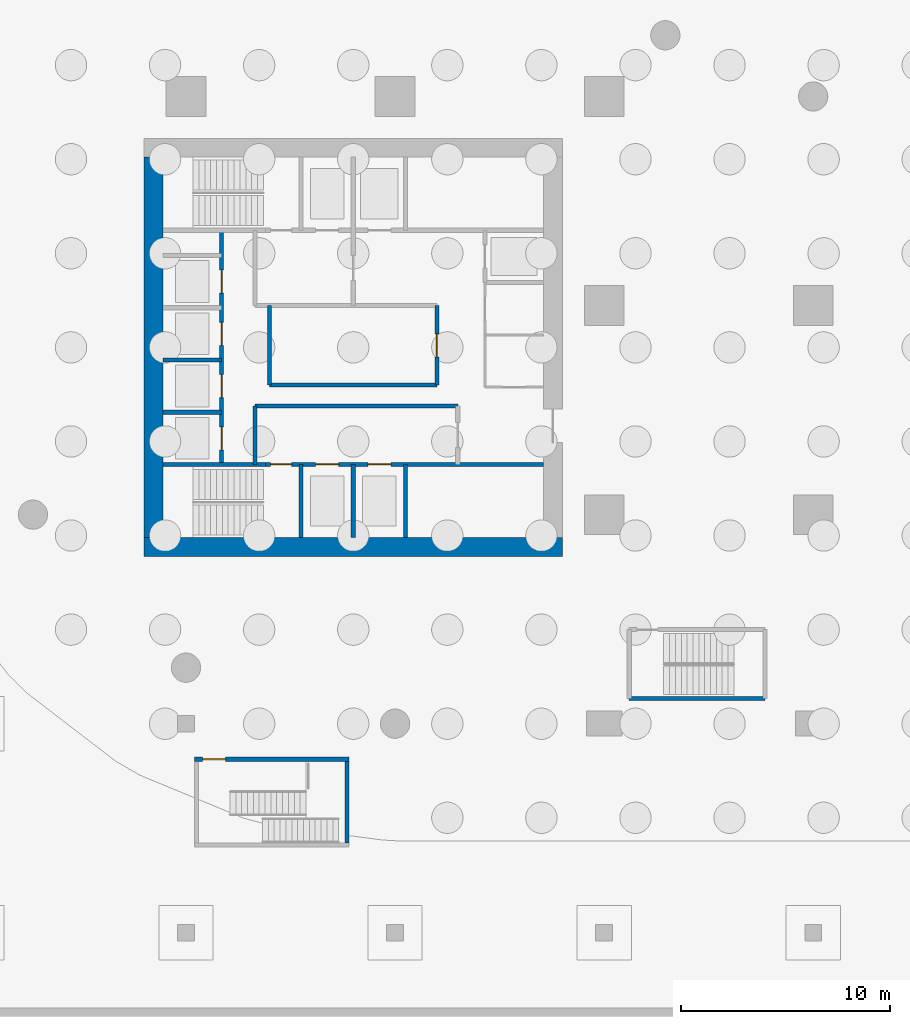
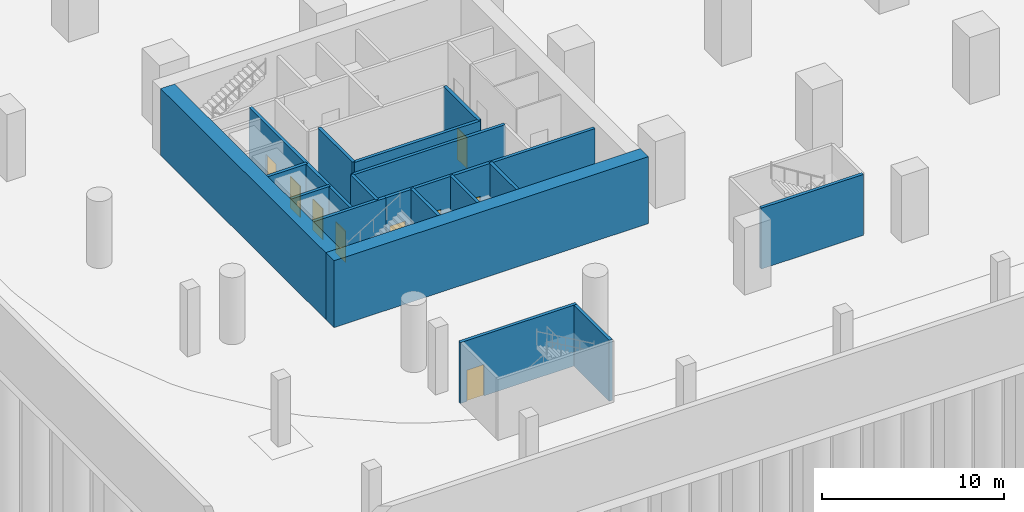
# One storey, part 5 of 19: 18 walls, 9 doors, 9 openings.
"""IFC4 building model written with IfcOpenShell, lengths in metres."""

from ifc_helpers import new_model, si_unit, direction, frame, frame_2d, origin, place, context, subcontext, project, spatial, rectangle, extrude, material, layer, layer_set, type_object, element, fill, save


model = new_model("IFC4")

# Units and contexts
model_context = context("Model", 3, precision=1e-05, world=origin(), true_north=direction((0.0, 1.0)))
body_context = subcontext(model_context, "Body", "Model", "MODEL_VIEW")
ifc_project = project(units=[si_unit("LENGTHUNIT", "METRE"), si_unit("AREAUNIT", "SQUARE_METRE"), si_unit("VOLUMEUNIT", "CUBIC_METRE"), si_unit("PLANEANGLEUNIT", "RADIAN"), si_unit("MASSUNIT", "GRAM", prefix="KILO")], contexts=[model_context])

# Site, building, storey
site_placement = place(None, origin())
site = spatial("IfcSite", under=ifc_project, at=site_placement, CompositionType="ELEMENT")
building_placement = place(site_placement, origin())
building = spatial("IfcBuilding", under=site, at=building_placement, Name="Qaws Garden Tower", CompositionType="ELEMENT")
storey_placement = place(building_placement, frame((0.0, 0.0, -9.0)))
storey = spatial("IfcBuildingStorey", under=building, at=storey_placement, Name="B2", CompositionType="ELEMENT", Elevation=-9.0)

# Walls
ifc_material_1 = material(Name="Concrete C80", Category="concrete")
ifc_layer_1 = layer(ifc_material_1, 0.199951171875)
ifc_layer_set_1 = layer_set([ifc_layer_1], Name="Concrete C80")
wall_type_1 = type_object("IfcWallType", Name="Core shaft wall 200 C80", PredefinedType="SHEAR", material=ifc_layer_set_1)
wall_1_placement = place(storey_placement, frame((31.199951171875, 1.199951171875, 0.0), z_axis=(0.0, 0.0, 1.0), x_axis=(1.0, 0.0, 0.0)))
element("IfcWall", 1, at=wall_1_placement, inside=storey, type_object=wall_type_1, Name="Shaft wall", PredefinedType="SHEAR", context=body_context, shape_type="SweptSolid", body=[
    extrude(rectangle(XDim=6.5, YDim=0.199951171875, at=frame_2d((3.25, 0.0))), origin(), (0.0, 0.0, 1.0), 4.10009765625),
])
wall_2_placement = place(storey_placement, frame((8.89990234375, 12.39990234375, 0.0), z_axis=(0.0, 0.0, 1.0), x_axis=(1.0, 0.0, 0.0)))
element("IfcWall", 2, at=wall_2_placement, inside=storey, type_object=wall_type_1, Name="Shaft wall", PredefinedType="SHEAR", context=body_context, shape_type="SweptSolid", body=[
    extrude(rectangle(XDim=4.900146484375, YDim=0.199951171875, at=frame_2d((2.4501953125, 0.0))), origin(), (0.0, 0.0, 1.0), 4.10009765625),
])

# Wall, openings, doors
wall_3_placement = place(storey_placement, frame((13.800048828125, 12.39990234375, 0.0), z_axis=(0.0, 0.0, 1.0), x_axis=(1.0, 0.0, 0.0)))
wall_3 = element("IfcWall", 3, at=wall_3_placement, inside=storey, type_object=wall_type_1, Name="Shaft wall", PredefinedType="SHEAR", context=body_context, shape_type="SweptSolid", body=[
    extrude(rectangle(XDim=13.300048828125, YDim=0.199951171875, at=frame_2d((6.64990234375, 0.0))), origin(), (0.0, 0.0, 1.0), 4.10009765625),
])
opening_1_placement = place(wall_3_placement, frame((2.39990234375, 0.0, 0.0)))
opening_1 = element("IfcOpeningElement", 4, at=opening_1_placement, cuts=wall_3, Name="Opening LD06", PredefinedType="OPENING", context=body_context, shape_type="SweptSolid", body=[
    extrude(rectangle(XDim=1.10009765625, YDim=2.10009765625, at=frame_2d((0.550048828125, 1.050048828125))), frame((0.0, 0.10986328125, 0.0), z_axis=(0.0, -1.0, 0.0), x_axis=(1.0, 0.0, 0.0)), (0.0, 0.0, 1.0), 0.219970703125),
])
opening_2_placement = place(wall_3_placement, frame((4.89990234375, 0.0, 0.0)))
opening_2 = element("IfcOpeningElement", 5, at=opening_2_placement, cuts=wall_3, Name="Opening LD07", PredefinedType="OPENING", context=body_context, shape_type="SweptSolid", body=[
    extrude(rectangle(XDim=1.10009765625, YDim=2.10009765625, at=frame_2d((0.550048828125, 1.050048828125))), frame((0.0, 0.10986328125, 0.0), z_axis=(0.0, -1.0, 0.0), x_axis=(1.0, 0.0, 0.0)), (0.0, 0.0, 1.0), 0.219970703125),
])
opening_3_placement = place(wall_3_placement, frame((0.25, 0.0, 0.0)))
opening_3 = element("IfcOpeningElement", 6, at=opening_3_placement, cuts=wall_3, Name="Opening SD10", PredefinedType="OPENING", context=body_context, shape_type="SweptSolid", body=[
    extrude(rectangle(XDim=1.0, YDim=2.10009765625, at=frame_2d((0.5, 1.050048828125))), frame((0.0, 0.10986328125, 0.0), z_axis=(0.0, -1.0, 0.0), x_axis=(1.0, 0.0, 0.0)), (0.0, 0.0, 1.0), 0.219970703125),
])
ifc_material_2 = material(Name="Steel S235", Category="steel")
door_type_1 = type_object("IfcDoorType", Name="Landing door 1100x2100", OperationType="DOUBLE_DOOR_SLIDING", PredefinedType="DOOR", material=ifc_material_2)
door_1_placement = place(opening_1_placement, origin())
door_1 = element("IfcDoor", 7, at=door_1_placement, inside=storey, type_object=door_type_1, Name="Lift FF1 landing door", OperationType="DOUBLE_DOOR_SLIDING", OverallHeight=2.10009765625, OverallWidth=1.10009765625, PredefinedType="DOOR", context=body_context, shape_type="SweptSolid", body=[
    extrude(rectangle(XDim=1.10009765625, YDim=2.10009765625, at=frame_2d((0.550048828125, 1.050048828125))), frame((0.0, 0.02490234375, 0.0), z_axis=(0.0, -1.0, 0.0), x_axis=(1.0, 0.0, 0.0)), (0.0, 0.0, 1.0), 0.050048828125),
])
fill(opening_1, door_1)
door_2_placement = place(opening_2_placement, origin())
door_2 = element("IfcDoor", 8, at=door_2_placement, inside=storey, type_object=door_type_1, Name="Lift FF2 landing door", OperationType="DOUBLE_DOOR_SLIDING", OverallHeight=2.10009765625, OverallWidth=1.10009765625, PredefinedType="DOOR", context=body_context, shape_type="SweptSolid", body=[
    extrude(rectangle(XDim=1.10009765625, YDim=2.10009765625, at=frame_2d((0.550048828125, 1.050048828125))), frame((0.0, 0.02490234375, 0.0), z_axis=(0.0, -1.0, 0.0), x_axis=(1.0, 0.0, 0.0)), (0.0, 0.0, 1.0), 0.050048828125),
])
fill(opening_2, door_2)
ifc_material_3 = material(Name="Steel S235", Category="steel")
door_type_2 = type_object("IfcDoorType", Name="Stair door 1000x2100", OperationType="SINGLE_SWING_RIGHT", PredefinedType="DOOR", material=ifc_material_3)
door_3_placement = place(opening_3_placement, frame((1.0, 0.0, 0.0), z_axis=(0.0, 0.0, 1.0), x_axis=(-1.0, 0.0, 0.0)))
door_3 = element("IfcDoor", 9, at=door_3_placement, inside=storey, type_object=door_type_2, Name="Stair 1 door", OperationType="SINGLE_SWING_LEFT", OverallHeight=2.10009765625, OverallWidth=1.0, PredefinedType="DOOR", context=body_context, shape_type="SweptSolid", body=[
    extrude(rectangle(XDim=1.0, YDim=2.10009765625, at=frame_2d((0.5, 1.050048828125))), frame((0.0, 0.02490234375, 0.0), z_axis=(0.0, -1.0, 0.0), x_axis=(1.0, 0.0, 0.0)), (0.0, 0.0, 1.0), 0.050048828125),
])
fill(opening_3, door_3)

# Walls
wall_4_placement = place(storey_placement, frame((8.89990234375, 14.89990234375, 0.0), z_axis=(0.0, 0.0, 1.0), x_axis=(1.0, 0.0, 0.0)))
element("IfcWall", 10, at=wall_4_placement, inside=storey, type_object=wall_type_1, Name="Shaft wall", PredefinedType="SHEAR", context=body_context, shape_type="SweptSolid", body=[
    extrude(rectangle(XDim=2.800048828125, YDim=0.199951171875, at=frame_2d((1.39990234375, 0.0))), origin(), (0.0, 0.0, 1.0), 4.10009765625),
])
wall_5_placement = place(storey_placement, frame((13.300048828125, 15.199951171875, 0.0), z_axis=(0.0, 0.0, 1.0), x_axis=(1.0, 0.0, 0.0)))
element("IfcWall", 11, at=wall_5_placement, inside=storey, type_object=wall_type_1, Name="Shaft wall", PredefinedType="SHEAR", context=body_context, shape_type="SweptSolid", body=[
    extrude(rectangle(XDim=9.699951171875, YDim=0.199951171875, at=frame_2d((4.85009765625, 0.0))), origin(), (0.0, 0.0, 1.0), 4.10009765625),
])
wall_6_placement = place(storey_placement, frame((14.0, 16.199951171875, 0.0), z_axis=(0.0, 0.0, 1.0), x_axis=(1.0, 0.0, 0.0)))
element("IfcWall", 12, at=wall_6_placement, inside=storey, type_object=wall_type_1, Name="Shaft wall", PredefinedType="SHEAR", context=body_context, shape_type="SweptSolid", body=[
    extrude(rectangle(XDim=8.0, YDim=0.199951171875, at=frame_2d((4.0, 0.0))), origin(), (0.0, 0.0, 1.0), 4.10009765625),
])
wall_7_placement = place(storey_placement, frame((8.89990234375, 17.39990234375, 0.0), z_axis=(0.0, 0.0, 1.0), x_axis=(1.0, 0.0, 0.0)))
element("IfcWall", 13, at=wall_7_placement, inside=storey, type_object=wall_type_1, Name="Shaft wall", PredefinedType="SHEAR", context=body_context, shape_type="SweptSolid", body=[
    extrude(rectangle(XDim=2.800048828125, YDim=0.199951171875, at=frame_2d((1.39990234375, 0.0))), origin(), (0.0, 0.0, 1.0), 4.10009765625),
])

# Wall, openings, doors
wall_8_placement = place(storey_placement, frame((11.699951171875, 12.39990234375, 0.0), z_axis=(0.0, 0.0, 1.0), x_axis=(0.0, 1.0, 0.0)))
wall_8 = element("IfcWall", 14, at=wall_8_placement, inside=storey, type_object=wall_type_1, Name="Shaft wall", PredefinedType="SHEAR", context=body_context, shape_type="SweptSolid", body=[
    extrude(rectangle(XDim=11.2001953125, YDim=0.199951171875, at=frame_2d((5.60009765625, 0.0))), origin(), (0.0, 0.0, 1.0), 4.10009765625),
])
opening_4_placement = place(wall_8_placement, frame((0.699951171875, 0.0, 0.0)))
opening_4 = element("IfcOpeningElement", 15, at=opening_4_placement, cuts=wall_8, Name="Opening LD01", PredefinedType="OPENING", context=body_context, shape_type="SweptSolid", body=[
    extrude(rectangle(XDim=1.10009765625, YDim=2.10009765625, at=frame_2d((0.550048828125, 1.050048828125))), frame((0.0, 0.10986328125, 0.0), z_axis=(0.0, -1.0, 0.0), x_axis=(1.0, 0.0, 0.0)), (0.0, 0.0, 1.0), 0.219970703125),
])
opening_5_placement = place(wall_8_placement, frame((3.199951171875, 0.0, 0.0)))
opening_5 = element("IfcOpeningElement", 16, at=opening_5_placement, cuts=wall_8, Name="Opening LD02", PredefinedType="OPENING", context=body_context, shape_type="SweptSolid", body=[
    extrude(rectangle(XDim=1.10009765625, YDim=2.10009765625, at=frame_2d((0.550048828125, 1.050048828125))), frame((0.0, 0.10986328125, 0.0), z_axis=(0.0, -1.0, 0.0), x_axis=(1.0, 0.0, 0.0)), (0.0, 0.0, 1.0), 0.219970703125),
])
opening_6_placement = place(wall_8_placement, frame((5.699951171875, 0.0, 0.0)))
opening_6 = element("IfcOpeningElement", 17, at=opening_6_placement, cuts=wall_8, Name="Opening LD03", PredefinedType="OPENING", context=body_context, shape_type="SweptSolid", body=[
    extrude(rectangle(XDim=1.10009765625, YDim=2.10009765625, at=frame_2d((0.550048828125, 1.050048828125))), frame((0.0, 0.10986328125, 0.0), z_axis=(0.0, -1.0, 0.0), x_axis=(1.0, 0.0, 0.0)), (0.0, 0.0, 1.0), 0.219970703125),
])
opening_7_placement = place(wall_8_placement, frame((8.199951171875, 0.0, 0.0)))
opening_7 = element("IfcOpeningElement", 18, at=opening_7_placement, cuts=wall_8, Name="Opening LD04", PredefinedType="OPENING", context=body_context, shape_type="SweptSolid", body=[
    extrude(rectangle(XDim=1.10009765625, YDim=2.10009765625, at=frame_2d((0.550048828125, 1.050048828125))), frame((0.0, 0.10986328125, 0.0), z_axis=(0.0, -1.0, 0.0), x_axis=(1.0, 0.0, 0.0)), (0.0, 0.0, 1.0), 0.219970703125),
])
door_4_placement = place(opening_4_placement, origin())
door_4 = element("IfcDoor", 19, at=door_4_placement, inside=storey, type_object=door_type_1, Name="Lift W1 landing door", OperationType="DOUBLE_DOOR_SLIDING", OverallHeight=2.10009765625, OverallWidth=1.10009765625, PredefinedType="DOOR", context=body_context, shape_type="SweptSolid", body=[
    extrude(rectangle(XDim=1.10009765625, YDim=2.10009765625, at=frame_2d((0.550048828125, 1.050048828125))), frame((0.0, 0.02490234375, 0.0), z_axis=(0.0, -1.0, 0.0), x_axis=(1.0, 0.0, 0.0)), (0.0, 0.0, 1.0), 0.050048828125),
])
fill(opening_4, door_4)
door_5_placement = place(opening_5_placement, origin())
door_5 = element("IfcDoor", 20, at=door_5_placement, inside=storey, type_object=door_type_1, Name="Lift W2 landing door", OperationType="DOUBLE_DOOR_SLIDING", OverallHeight=2.10009765625, OverallWidth=1.10009765625, PredefinedType="DOOR", context=body_context, shape_type="SweptSolid", body=[
    extrude(rectangle(XDim=1.10009765625, YDim=2.10009765625, at=frame_2d((0.550048828125, 1.050048828125))), frame((0.0, 0.02490234375, 0.0), z_axis=(0.0, -1.0, 0.0), x_axis=(1.0, 0.0, 0.0)), (0.0, 0.0, 1.0), 0.050048828125),
])
fill(opening_5, door_5)
door_6_placement = place(opening_6_placement, origin())
door_6 = element("IfcDoor", 21, at=door_6_placement, inside=storey, type_object=door_type_1, Name="Lift W3 landing door", OperationType="DOUBLE_DOOR_SLIDING", OverallHeight=2.10009765625, OverallWidth=1.10009765625, PredefinedType="DOOR", context=body_context, shape_type="SweptSolid", body=[
    extrude(rectangle(XDim=1.10009765625, YDim=2.10009765625, at=frame_2d((0.550048828125, 1.050048828125))), frame((0.0, 0.02490234375, 0.0), z_axis=(0.0, -1.0, 0.0), x_axis=(1.0, 0.0, 0.0)), (0.0, 0.0, 1.0), 0.050048828125),
])
fill(opening_6, door_6)
door_7_placement = place(opening_7_placement, origin())
door_7 = element("IfcDoor", 22, at=door_7_placement, inside=storey, type_object=door_type_1, Name="Lift W4 landing door", OperationType="DOUBLE_DOOR_SLIDING", OverallHeight=2.10009765625, OverallWidth=1.10009765625, PredefinedType="DOOR", context=body_context, shape_type="SweptSolid", body=[
    extrude(rectangle(XDim=1.10009765625, YDim=2.10009765625, at=frame_2d((0.550048828125, 1.050048828125))), frame((0.0, 0.02490234375, 0.0), z_axis=(0.0, -1.0, 0.0), x_axis=(1.0, 0.0, 0.0)), (0.0, 0.0, 1.0), 0.050048828125),
])
fill(opening_7, door_7)

# Walls
wall_9_placement = place(storey_placement, frame((13.300048828125, 12.39990234375, 0.0), z_axis=(0.0, 0.0, 1.0), x_axis=(0.0, 1.0, 0.0)))
element("IfcWall", 23, at=wall_9_placement, inside=storey, type_object=wall_type_1, Name="Shaft wall", PredefinedType="SHEAR", context=body_context, shape_type="SweptSolid", body=[
    extrude(rectangle(XDim=2.800048828125, YDim=0.199951171875, at=frame_2d((1.39990234375, 0.0))), origin(), (0.0, 0.0, 1.0), 4.10009765625),
])
wall_10_placement = place(storey_placement, frame((14.0, 16.199951171875, 0.0), z_axis=(0.0, 0.0, 1.0), x_axis=(0.0, 1.0, 0.0)))
element("IfcWall", 24, at=wall_10_placement, inside=storey, type_object=wall_type_1, Name="Shaft wall", PredefinedType="SHEAR", context=body_context, shape_type="SweptSolid", body=[
    extrude(rectangle(XDim=3.800048828125, YDim=0.199951171875, at=frame_2d((1.89990234375, 0.0))), origin(), (0.0, 0.0, 1.0), 4.10009765625),
])
for number, where, z_axis, x_axis, name in (
    (25, (15.5, 8.89990234375, 0.0), (0.0, 0.0, 1.0), (0.0, 1.0, 0.0), "Shaft wall"),
    (26, (18.0, 8.89990234375, 0.0), (0.0, 0.0, 1.0), (0.0, 1.0, 0.0), "Shaft wall"),
    (27, (20.5, 8.89990234375, 0.0), (0.0, 0.0, 1.0), (0.0, 1.0, 0.0), "Shaft wall"),
):
    element("IfcWall", number, at=place(storey_placement, frame(where, z_axis=z_axis, x_axis=x_axis)), inside=storey, type_object=wall_type_1, Name=name, PredefinedType="SHEAR", context=body_context, shape_type="SweptSolid", body=[
        extrude(rectangle(XDim=3.5, YDim=0.199951171875, at=frame_2d((1.75, 0.0))), origin(), (0.0, 0.0, 1.0), 4.10009765625),
    ])

# Wall, opening, door
wall_11_placement = place(storey_placement, frame((22.0, 16.199951171875, 0.0), z_axis=(0.0, 0.0, 1.0), x_axis=(0.0, 1.0, 0.0)))
wall_11 = element("IfcWall", 28, at=wall_11_placement, inside=storey, type_object=wall_type_1, Name="Shaft wall", PredefinedType="SHEAR", context=body_context, shape_type="SweptSolid", body=[
    extrude(rectangle(XDim=3.800048828125, YDim=0.199951171875, at=frame_2d((1.89990234375, 0.0))), origin(), (0.0, 0.0, 1.0), 4.10009765625),
])
opening_8_placement = place(wall_11_placement, frame((1.35009765625, 0.0, 0.0)))
opening_8 = element("IfcOpeningElement", 29, at=opening_8_placement, cuts=wall_11, Name="Opening XD17", PredefinedType="OPENING", context=body_context, shape_type="SweptSolid", body=[
    extrude(rectangle(XDim=1.10009765625, YDim=2.10009765625, at=frame_2d((0.550048828125, 1.050048828125))), frame((0.0, 0.10986328125, 0.0), z_axis=(0.0, -1.0, 0.0), x_axis=(1.0, 0.0, 0.0)), (0.0, 0.0, 1.0), 0.219970703125),
])
ifc_material_4 = material(Name="Timber", Category="wood")
door_type_3 = type_object("IfcDoorType", Name="WC lobby door 1100x2100", OperationType="SINGLE_SWING_LEFT", PredefinedType="DOOR", material=ifc_material_4)
door_8_placement = place(opening_8_placement, origin())
door_8 = element("IfcDoor", 30, at=door_8_placement, inside=storey, type_object=door_type_3, Name="Plant room door", OperationType="SINGLE_SWING_RIGHT", OverallHeight=2.10009765625, OverallWidth=1.10009765625, PredefinedType="DOOR", context=body_context, shape_type="SweptSolid", body=[
    extrude(rectangle(XDim=1.10009765625, YDim=2.10009765625, at=frame_2d((0.550048828125, 1.050048828125))), frame((0.0, 0.02490234375, 0.0), z_axis=(0.0, -1.0, 0.0), x_axis=(1.0, 0.0, 0.0)), (0.0, 0.0, 1.0), 0.050048828125),
])
fill(opening_8, door_8)

# Walls
ifc_material_5 = material(Name="Concrete C80", Category="concrete")
ifc_layer_2 = layer(ifc_material_5, 0.89990234375)
ifc_layer_set_2 = layer_set([ifc_layer_2], Name="Concrete C80")
wall_type_2 = type_object("IfcWallType", Name="Core wall 900 C80", PredefinedType="SHEAR", material=ifc_layer_set_2)
wall_12_placement = place(storey_placement, frame((8.0, 8.449951171875, 0.0), z_axis=(0.0, 0.0, 1.0), x_axis=(1.0, 0.0, 0.0)))
element("IfcWall", 31, at=wall_12_placement, inside=storey, type_object=wall_type_2, Name="Core wall B2 south", PredefinedType="SHEAR", context=body_context, shape_type="SweptSolid", body=[
    extrude(rectangle(XDim=20.0, YDim=0.89990234375, at=frame_2d((10.0, 0.0))), origin(), (0.0, 0.0, 1.0), 4.5),
])
wall_13_placement = place(storey_placement, frame((8.449951171875, 27.10009765625, 0.0), z_axis=(0.0, 0.0, 1.0), x_axis=(0.0, -1.0, 0.0)))
element("IfcWall", 32, at=wall_13_placement, inside=storey, type_object=wall_type_2, Name="Core wall B2 west", PredefinedType="SHEAR", context=body_context, shape_type="SweptSolid", body=[
    extrude(rectangle(XDim=18.2001953125, YDim=0.89990234375, at=frame_2d((9.10009765625, 0.0))), origin(), (0.0, 0.0, 1.0), 4.5),
])

# Wall, opening, door
ifc_material_6 = material(Name="Concrete C40", Category="concrete")
ifc_layer_3 = layer(ifc_material_6, 0.199951171875)
ifc_layer_set_3 = layer_set([ifc_layer_3], Name="Concrete C40")
wall_type_3 = type_object("IfcWallType", Name="Stair enclosure wall 200", PredefinedType="SOLIDWALL", material=ifc_layer_set_3)
wall_14_placement = place(storey_placement, frame((10.39990234375, -1.699951171875, 0.0), z_axis=(0.0, 0.0, 1.0), x_axis=(1.0, 0.0, 0.0)))
wall_14 = element("IfcWall", 33, at=wall_14_placement, inside=storey, type_object=wall_type_3, Name="Stair S1 enclosure wall", PredefinedType="SOLIDWALL", context=body_context, shape_type="SweptSolid", body=[
    extrude(rectangle(XDim=7.400146484375, YDim=0.199951171875, at=frame_2d((3.7001953125, 0.0))), origin(), (0.0, 0.0, 1.0), 4.10009765625),
])
opening_9_placement = place(wall_14_placement, frame((0.39990234375, 0.0, 0.0)))
opening_9 = element("IfcOpeningElement", 34, at=opening_9_placement, cuts=wall_14, Name="Opening PD4-05", PredefinedType="OPENING", context=body_context, shape_type="SweptSolid", body=[
    extrude(rectangle(XDim=1.10009765625, YDim=2.10009765625, at=frame_2d((0.550048828125, 1.050048828125))), frame((0.0, 0.10986328125, 0.0), z_axis=(0.0, -1.0, 0.0), x_axis=(1.0, 0.0, 0.0)), (0.0, 0.0, 1.0), 0.219970703125),
])
ifc_material_7 = material(Name="Steel S235 framed door leaf", Category="steel")
door_type_4 = type_object("IfcDoorType", Name="Door D4 fire stair 1100", OperationType="SINGLE_SWING_LEFT", PredefinedType="DOOR", material=ifc_material_7)
door_9_placement = place(opening_9_placement, origin())
door_9 = element("IfcDoor", 35, at=door_9_placement, inside=storey, type_object=door_type_4, Name="Exit stair door", OperationType="SINGLE_SWING_RIGHT", OverallHeight=2.10009765625, OverallWidth=1.10009765625, PredefinedType="DOOR", context=body_context, shape_type="SweptSolid", body=[
    extrude(rectangle(XDim=1.10009765625, YDim=2.10009765625, at=frame_2d((0.550048828125, 1.050048828125))), frame((0.0, 0.02490234375, 0.0), z_axis=(0.0, -1.0, 0.0), x_axis=(1.0, 0.0, 0.0)), (0.0, 0.0, 1.0), 0.050048828125),
])
fill(opening_9, door_9)

# Wall
wall_15_placement = place(storey_placement, frame((17.699951171875, -1.800048828125, 0.0), z_axis=(0.0, 0.0, 1.0), x_axis=(0.0, -1.0, 0.0)))
element("IfcWall", 36, at=wall_15_placement, inside=storey, type_object=wall_type_3, Name="Stair S1 enclosure wall", PredefinedType="SOLIDWALL", context=body_context, shape_type="SweptSolid", body=[
    extrude(rectangle(XDim=3.89990234375, YDim=0.199951171875, at=frame_2d((1.949951171875, 0.0))), origin(), (0.0, 0.0, 1.0), 4.10009765625),
])

save(model, "model.ifc")
